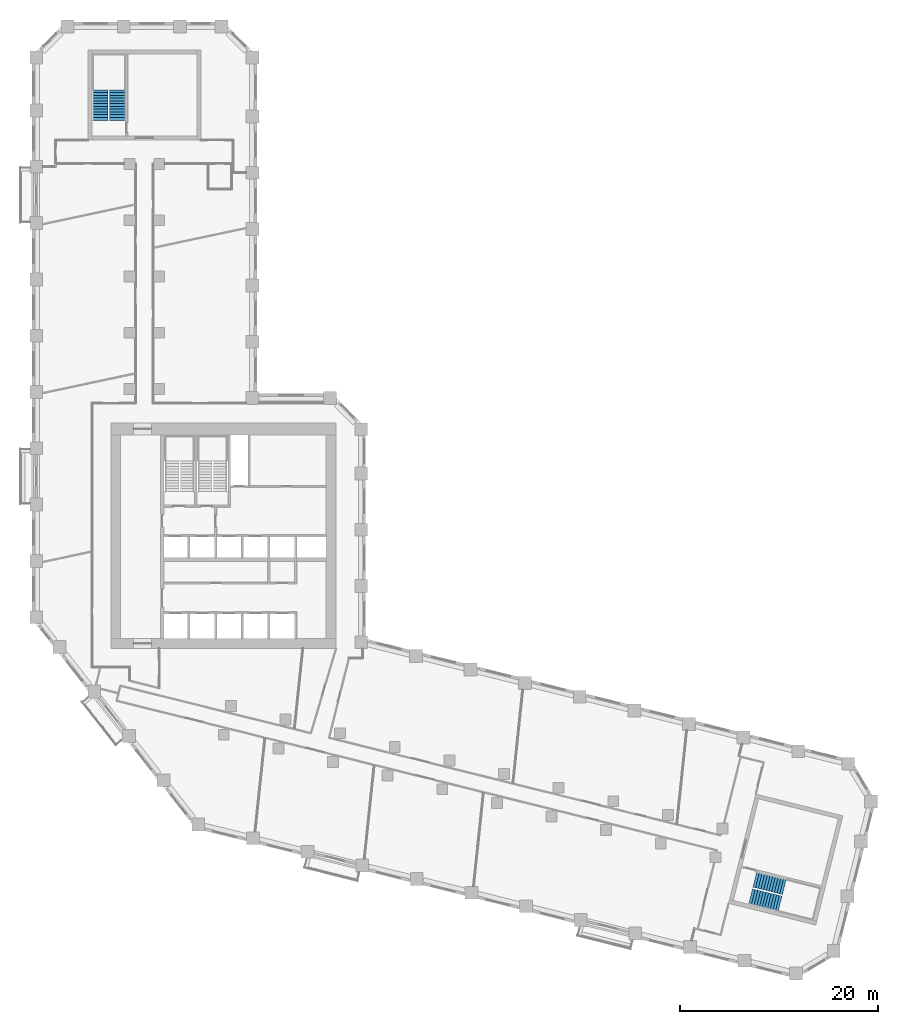
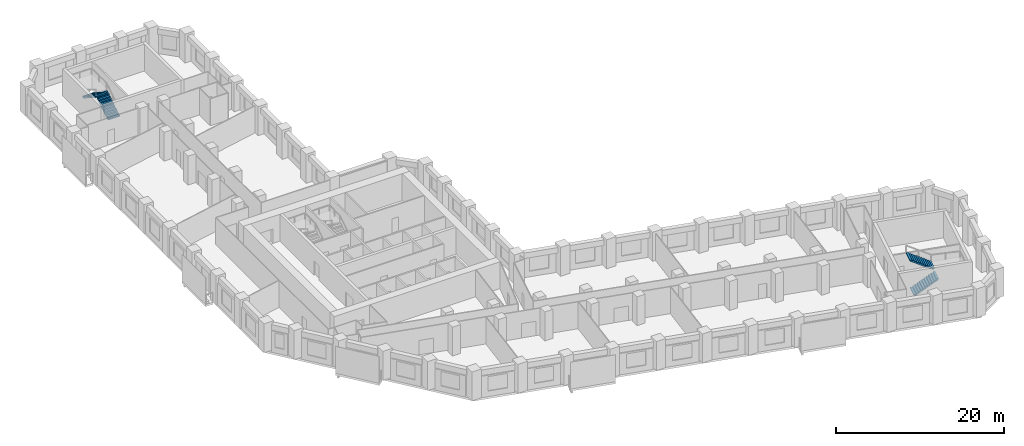
# One storey, part 10 of 11: 4 stair flights, 2 elements without a shape of their own.
"""IFC4 building model written with IfcOpenShell, lengths in metres."""

from ifc_helpers import new_model, si_unit, direction, frame, origin, place, context, subcontext, project, spatial, polyline, outline, extrude, material, type_object, element, aggregate, save


model = new_model("IFC4")

# Units and contexts
model_context = context("Model", 3, precision=1e-05, world=origin(), true_north=direction((0.0, 1.0)))
body_context = subcontext(model_context, "Body", "Model", "MODEL_VIEW")
ifc_project = project(units=[si_unit("LENGTHUNIT", "METRE"), si_unit("AREAUNIT", "SQUARE_METRE"), si_unit("VOLUMEUNIT", "CUBIC_METRE"), si_unit("PLANEANGLEUNIT", "RADIAN"), si_unit("MASSUNIT", "GRAM", prefix="KILO")], contexts=[model_context])

# Site, building, storey
site_placement = place(None, origin())
site = spatial("IfcSite", under=ifc_project, at=site_placement, CompositionType="ELEMENT")
building_placement = place(site_placement, origin())
building = spatial("IfcBuilding", under=site, at=building_placement, Name="Meshkara Civic Tower", CompositionType="ELEMENT")
storey_placement = place(building_placement, frame((0.0, 0.0, 139.199951171875)))
storey = spatial("IfcBuildingStorey", under=building, at=storey_placement, Name="L31", CompositionType="ELEMENT", Elevation=139.199951171875)

# Stair, stair flights
ifc_material_1 = material(Name="Precast concrete C40/50", Category="concrete")
stair_type = type_object("IfcStairType", Name="Exit stair half-turn 24 risers 1600 precast", PredefinedType="HALF_TURN_STAIR", material=ifc_material_1)
stair_1_placement = place(storey_placement, origin())
stair_1 = element("IfcStair", 1, at=stair_1_placement, inside=storey, type_object=stair_type, Name="L31 exit stair A from L20", PredefinedType="HALF_TURN_STAIR")
ifc_material_2 = material(Name="Precast concrete C40/50", Category="concrete")
stair_flight_type = type_object("IfcStairFlightType", Name="Exit stair flight 12 risers 1600 precast", PredefinedType="STRAIGHT", material=ifc_material_2)
stair_flight_1_placement = place(storey_placement, frame((8.675048828125, 67.570068359375, 0.0), z_axis=(0.0, 0.0, 1.0), x_axis=(0.0, 1.0, 0.0)))
stair_flight_1 = element("IfcStairFlight", 2, at=stair_flight_1_placement, type_object=stair_flight_type, Name="ESA2 flight 1", NumberOfRisers=12, NumberOfTreads=11, PredefinedType="STRAIGHT", RiserHeight=0.175, TreadLength=0.28, context=body_context, shape_type="SweptSolid", body=[
    extrude(outline(polyline([(0.0, 0.0), (0.0, 0.175048828125), (0.280029296875, 0.175048828125), (0.280029296875, 0.35009765625), (0.56005859375, 0.35009765625), (0.56005859375, 0.52490234375), (0.840087890625, 0.52490234375), (0.840087890625, 0.699951171875), (1.1201171875, 0.699951171875), (1.1201171875, 0.875), (1.39990234375, 0.875), (1.39990234375, 1.050048828125), (1.679931640625, 1.050048828125), (1.679931640625, 1.22509765625), (1.9599609375, 1.22509765625), (1.9599609375, 1.39990234375), (2.239990234375, 1.39990234375), (2.239990234375, 1.574951171875), (2.52001953125, 1.574951171875), (2.52001953125, 1.75), (2.800048828125, 1.75), (2.800048828125, 1.925048828125), (3.080078125, 1.925048828125), (3.080078125, 2.10009765625), (3.080078125, 1.748291015625), (0.28271484375, 0.0), (0.0, 0.0)])), frame((0.0, 0.800048828125, 0.0), z_axis=(0.0, -1.0, 0.0), x_axis=(1.0, 0.0, 0.0)), (0.0, 0.0, 1.0), 1.60009765625),
])
stair_flight_2_placement = place(storey_placement, frame((6.925048828125, 70.64990234375, 2.10009765625), z_axis=(0.0, 0.0, 1.0), x_axis=(0.0, -1.0, 0.0)))
stair_flight_2 = element("IfcStairFlight", 3, at=stair_flight_2_placement, type_object=stair_flight_type, Name="ESA2 flight 2", NumberOfRisers=12, NumberOfTreads=11, PredefinedType="STRAIGHT", RiserHeight=0.175, TreadLength=0.28, context=body_context, shape_type="SweptSolid", body=[
    extrude(outline(polyline([(0.0, 0.0), (0.0, 0.175048828125), (0.280029296875, 0.175048828125), (0.280029296875, 0.35009765625), (0.56005859375, 0.35009765625), (0.56005859375, 0.52490234375), (0.840087890625, 0.52490234375), (0.840087890625, 0.699951171875), (1.1201171875, 0.699951171875), (1.1201171875, 0.875), (1.39990234375, 0.875), (1.39990234375, 1.050048828125), (1.679931640625, 1.050048828125), (1.679931640625, 1.22509765625), (1.9599609375, 1.22509765625), (1.9599609375, 1.39990234375), (2.239990234375, 1.39990234375), (2.239990234375, 1.574951171875), (2.52001953125, 1.574951171875), (2.52001953125, 1.75), (2.800048828125, 1.75), (2.800048828125, 1.925048828125), (3.080078125, 1.925048828125), (3.080078125, 2.10009765625), (3.080078125, 1.748291015625), (0.28271484375, 0.0), (0.0, 0.0)])), frame((0.0, 0.800048828125, 0.0), z_axis=(0.0, -1.0, 0.0), x_axis=(1.0, 0.0, 0.0)), (0.0, 0.0, 1.0), 1.60009765625),
])
aggregate(stair_1, [stair_flight_1, stair_flight_2])

stair_2_placement = place(storey_placement, origin())
stair_2 = element("IfcStair", 4, at=stair_2_placement, inside=storey, type_object=stair_type, Name="L31 exit stair B from L20", PredefinedType="HALF_TURN_STAIR")
stair_flight_3_placement = place(storey_placement, frame((72.7685546875, -11.00634765625, 0.0), z_axis=(0.0, 0.0, 1.0), x_axis=(0.970260066579, -0.242064873955, 0.0)))
stair_flight_3 = element("IfcStairFlight", 5, at=stair_flight_3_placement, type_object=stair_flight_type, Name="ESB2 flight 1", NumberOfRisers=12, NumberOfTreads=11, PredefinedType="STRAIGHT", RiserHeight=0.175, TreadLength=0.28, context=body_context, shape_type="SweptSolid", body=[
    extrude(outline(polyline([(0.0, 0.0), (0.0, 0.175048828125), (0.280029296875, 0.175048828125), (0.280029296875, 0.35009765625), (0.56005859375, 0.35009765625), (0.56005859375, 0.52490234375), (0.840087890625, 0.52490234375), (0.840087890625, 0.699951171875), (1.1201171875, 0.699951171875), (1.1201171875, 0.875), (1.39990234375, 0.875), (1.39990234375, 1.050048828125), (1.679931640625, 1.050048828125), (1.679931640625, 1.22509765625), (1.9599609375, 1.22509765625), (1.9599609375, 1.39990234375), (2.239990234375, 1.39990234375), (2.239990234375, 1.574951171875), (2.52001953125, 1.574951171875), (2.52001953125, 1.75), (2.800048828125, 1.75), (2.800048828125, 1.925048828125), (3.080078125, 1.925048828125), (3.080078125, 2.10009765625), (3.080078125, 1.748291015625), (0.28271484375, 0.0), (0.0, 0.0)])), frame((0.0, 0.800048828125, 0.0), z_axis=(0.0, -1.0, 0.0), x_axis=(1.0, 0.0, 0.0)), (0.0, 0.0, 1.0), 1.60009765625),
])
stair_flight_4_placement = place(storey_placement, frame((76.1806640625, -10.053955078125, 2.10009765625), z_axis=(0.0, 0.0, 1.0), x_axis=(-0.970260066579, 0.242064873955, 0.0)))
stair_flight_4 = element("IfcStairFlight", 6, at=stair_flight_4_placement, type_object=stair_flight_type, Name="ESB2 flight 2", NumberOfRisers=12, NumberOfTreads=11, PredefinedType="STRAIGHT", RiserHeight=0.175, TreadLength=0.28, context=body_context, shape_type="SweptSolid", body=[
    extrude(outline(polyline([(0.0, 0.0), (0.0, 0.175048828125), (0.280029296875, 0.175048828125), (0.280029296875, 0.35009765625), (0.56005859375, 0.35009765625), (0.56005859375, 0.52490234375), (0.840087890625, 0.52490234375), (0.840087890625, 0.699951171875), (1.1201171875, 0.699951171875), (1.1201171875, 0.875), (1.39990234375, 0.875), (1.39990234375, 1.050048828125), (1.679931640625, 1.050048828125), (1.679931640625, 1.22509765625), (1.9599609375, 1.22509765625), (1.9599609375, 1.39990234375), (2.239990234375, 1.39990234375), (2.239990234375, 1.574951171875), (2.52001953125, 1.574951171875), (2.52001953125, 1.75), (2.800048828125, 1.75), (2.800048828125, 1.925048828125), (3.080078125, 1.925048828125), (3.080078125, 2.10009765625), (3.080078125, 1.748291015625), (0.28271484375, 0.0), (0.0, 0.0)])), frame((0.0, 0.800048828125, 0.0), z_axis=(0.0, -1.0, 0.0), x_axis=(1.0, 0.0, 0.0)), (0.0, 0.0, 1.0), 1.60009765625),
])
aggregate(stair_2, [stair_flight_3, stair_flight_4])

save(model, "model.ifc")
